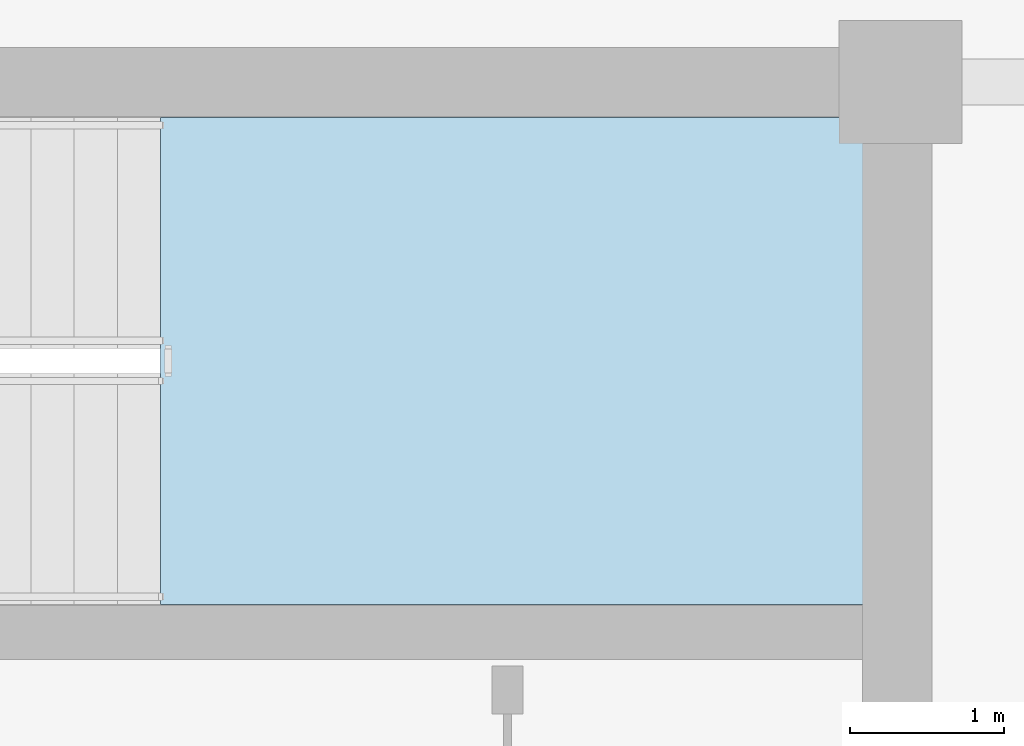
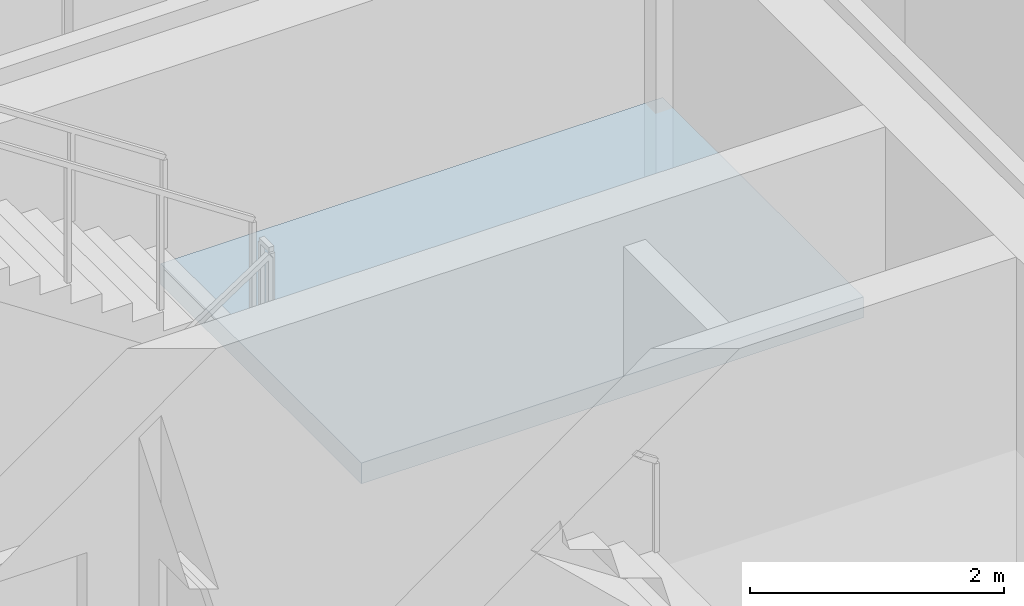
# One storey, part 4 of 12: 1 slab, 1 element without a shape of its own.
"""IFC4 building model written with IfcOpenShell, lengths in metres."""

from ifc_helpers import new_model, si_unit, direction, frame, origin, place, context, subcontext, project, spatial, polyline, outline, extrude, material, layer, layer_set, type_object, element, aggregate, save


model = new_model("IFC4")

# Units and contexts
model_context = context("Model", 3, precision=1e-05, world=origin(), true_north=direction((0.0, 1.0)))
body_context = subcontext(model_context, "Body", "Model", "MODEL_VIEW")
ifc_project = project(units=[si_unit("LENGTHUNIT", "METRE"), si_unit("AREAUNIT", "SQUARE_METRE"), si_unit("VOLUMEUNIT", "CUBIC_METRE"), si_unit("PLANEANGLEUNIT", "RADIAN"), si_unit("MASSUNIT", "GRAM", prefix="KILO")], contexts=[model_context])

# Site, building, storey
site_placement = place(None, origin())
site = spatial("IfcSite", under=ifc_project, at=site_placement, CompositionType="ELEMENT")
building_placement = place(site_placement, origin())
building = spatial("IfcBuilding", under=site, at=building_placement, Name="Zarnavel Station Tower", CompositionType="ELEMENT")
storey_placement = place(building_placement, frame((0.0, 0.0, 265.800048828125)))
storey = spatial("IfcBuildingStorey", under=building, at=storey_placement, Name="L72", CompositionType="ELEMENT", Elevation=265.800048828125)

# Stair, slab
ifc_material_1 = material(Name="Concrete C45/55", Category="concrete")
stair_type = type_object("IfcStairType", Name="ST_CORE_150", PredefinedType="HALF_TURN_STAIR", material=ifc_material_1)
stair_placement = place(storey_placement, origin())
stair = element("IfcStair", 1, at=stair_placement, inside=storey, type_object=stair_type, Name="L72 Core Exit Stair ST2", PredefinedType="HALF_TURN_STAIR")
ifc_material_2 = material(Name="Concrete C45/55", Category="concrete")
ifc_layer = layer(ifc_material_2, 0.199951171875)
ifc_layer_set = layer_set([ifc_layer], Name="SL_STAIR_LAND_200")
slab_type = type_object("IfcSlabType", Name="SL_STAIR_LAND_200", PredefinedType="LANDING", material=ifc_layer_set)
slab_placement = place(storey_placement, frame((0.0, 0.0, 1.64990234375)))
slab = element("IfcSlab", 2, at=slab_placement, type_object=slab_type, Name="ST2 landing 1", PredefinedType="LANDING", context=body_context, shape_type="SweptSolid", body=[
    extrude(outline(polyline([(40.60009765625, 33.659912109375), (45.159912109375, 33.659912109375), (45.159912109375, 36.820068359375), (40.60009765625, 36.820068359375), (40.60009765625, 33.659912109375)])), origin(), (0.0, 0.0, 1.0), 0.199951171875),
])
aggregate(stair, [slab])

save(model, "model.ifc")
